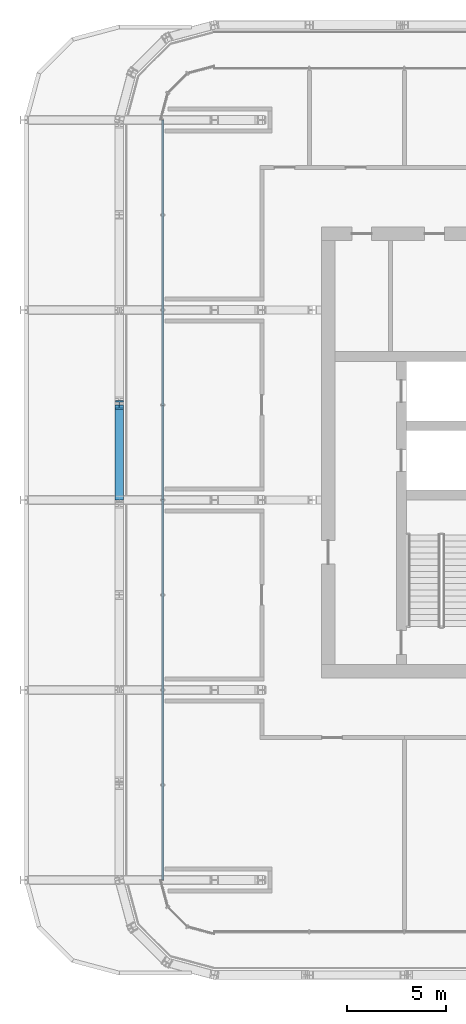
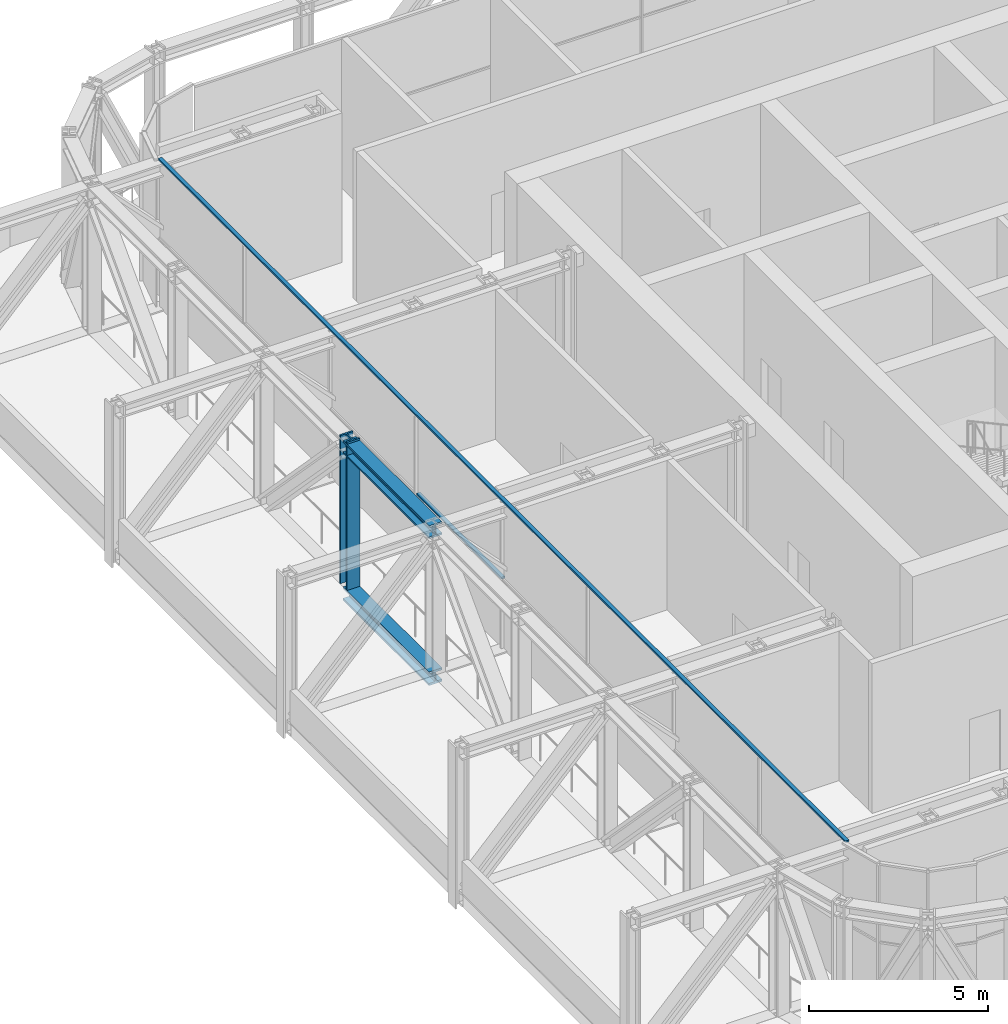
# One storey, part 4 of 30: 5 members, 1 element without a shape of its own.
"""IFC4 building model written with IfcOpenShell, lengths in metres."""

from ifc_helpers import new_model, si_unit, direction, frame, origin, origin_2d, place, context, subcontext, project, spatial, rectangle, i_section, extrude, material, layer, layer_set, material_profile, profile_set, type_object, element, aggregate, save


model = new_model("IFC4")

# Units and contexts
model_context = context("Model", 3, precision=1e-05, world=origin(), true_north=direction((0.0, 1.0)))
body_context = subcontext(model_context, "Body", "Model", "MODEL_VIEW")
ifc_project = project(units=[si_unit("LENGTHUNIT", "METRE"), si_unit("AREAUNIT", "SQUARE_METRE"), si_unit("VOLUMEUNIT", "CUBIC_METRE"), si_unit("PLANEANGLEUNIT", "RADIAN"), si_unit("MASSUNIT", "GRAM", prefix="KILO")], contexts=[model_context])

# Site, building, storey
site_placement = place(None, origin())
site = spatial("IfcSite", under=ifc_project, at=site_placement, CompositionType="ELEMENT")
building_placement = place(site_placement, origin())
building = spatial("IfcBuilding", under=site, at=building_placement, Name="Madar Terraces", CompositionType="ELEMENT")
storey_placement = place(building_placement, frame((0.0, 0.0, 173.5)))
storey = spatial("IfcBuildingStorey", under=building, at=storey_placement, Name="L45", CompositionType="ELEMENT", Elevation=173.5)

# Member
ifc_material_1 = material(Name="Steel ASTM A913 Grade 65", Category="steel")
ifc_material_profile_1 = material_profile(ifc_material_1, i_section(OverallWidth=0.421630859375, OverallDepth=0.46484375, WebThickness=0.044921875, FlangeThickness=0.072509765625, at=origin_2d()), Name="W14x398")
ifc_profile_set_1 = profile_set([ifc_material_profile_1], Name="Steel ASTM A913 Grade 65")
member_type_1 = type_object("IfcMemberType", Name="BC6 W14x398", PredefinedType="CHORD", material=ifc_profile_set_1)
member_1_placement = place(storey_placement, frame((4.800048828125, 28.800048828125, -0.1875), z_axis=(0.0, -1.0, 0.0), x_axis=(1.0, 0.0, 0.0)))
element("IfcMember", 1, at=member_1_placement, inside=storey, type_object=member_type_1, Name="Exoskeleton truss ring bottom chord BC6", PredefinedType="CHORD", context=body_context, shape_type="SweptSolid", body=[
    extrude(i_section(OverallWidth=0.421630859375, OverallDepth=0.46484375, WebThickness=0.044921875, FlangeThickness=0.072509765625, at=origin_2d()), origin(), (0.0, 0.0, 1.0), 4.800048828125),
])

# Curtain wall, members
ifc_material_2 = material(Name="Glass, ceramic frit dark grey, with black aluminium frame", Category="aluminium")
ifc_layer = layer(ifc_material_2, 0.199951171875)
ifc_layer_set = layer_set([ifc_layer], Name="Facade curtain wall, tall glazing")
curtain_wall_type = type_object("IfcCurtainWallType", Name="Facade curtain wall, tall glazing", PredefinedType="NOTDEFINED", material=ifc_layer_set)
curtain_wall_placement = place(storey_placement, origin())
curtain_wall = element("IfcCurtainWall", 2, at=curtain_wall_placement, inside=storey, type_object=curtain_wall_type, Name="Outer skin curtain wall west bay 1", PredefinedType="NOTDEFINED")
ifc_material_3 = material(Name="Aluminium, black anodised", Category="aluminium")
ifc_material_profile_2 = material_profile(ifc_material_3, rectangle(XDim=0.1201171875, YDim=0.06005859375, at=origin_2d()), Name="Facade transom 60x120")
ifc_profile_set_2 = profile_set([ifc_material_profile_2], Name="Aluminium, black anodised")
member_type_2 = type_object("IfcMemberType", Name="Facade transom 60x120", PredefinedType="USERDEFINED", material=ifc_profile_set_2)
member_2_placement = place(storey_placement, frame((7.0, 43.199951171875, 5.070068359375), z_axis=(0.0, -1.0, 0.0), x_axis=(1.0, 0.0, 0.0)))
member_2 = element("IfcMember", 3, at=member_2_placement, type_object=member_type_2, Name="Transom 1", ObjectType="TRANSOM", PredefinedType="USERDEFINED", context=body_context, shape_type="SweptSolid", body=[
    extrude(rectangle(XDim=0.1201171875, YDim=0.06005859375, at=origin_2d()), origin(), (0.0, 0.0, 1.0), 38.39990234375),
])
member_3_placement = place(storey_placement, frame((7.0, 28.77001953125, 2.39990234375), z_axis=(0.0, -1.0, 0.0), x_axis=(1.0, 0.0, 0.0)))
member_3 = element("IfcMember", 4, at=member_3_placement, type_object=member_type_2, Name="Transom 5", ObjectType="TRANSOM", PredefinedType="USERDEFINED", context=body_context, shape_type="SweptSolid", body=[
    extrude(rectangle(XDim=0.1201171875, YDim=0.06005859375, at=origin_2d()), origin(), (0.0, 0.0, 1.0), 4.739990234375),
])
aggregate(curtain_wall, [member_2, member_3])

# Members
ifc_material_4 = material(Name="Steel ASTM A913 Grade 65", Category="steel")
ifc_material_profile_3 = material_profile(ifc_material_4, i_section(OverallWidth=0.41650390625, OverallDepth=0.444580078125, WebThickness=0.0390625, FlangeThickness=0.062744140625, at=origin_2d()), Name="W14x342")
ifc_profile_set_3 = profile_set([ifc_material_profile_3], Name="Steel ASTM A913 Grade 65")
member_type_3 = type_object("IfcMemberType", Name="TC6 W14x342", PredefinedType="CHORD", material=ifc_profile_set_3)
member_4_placement = place(storey_placement, frame((4.800048828125, 28.800048828125, 4.807861328125), z_axis=(0.0, -1.0, 0.0), x_axis=(1.0, 0.0, 0.0)))
element("IfcMember", 5, at=member_4_placement, inside=storey, type_object=member_type_3, Name="Exoskeleton truss ring top chord TC6", PredefinedType="CHORD", context=body_context, shape_type="SweptSolid", body=[
    extrude(i_section(OverallWidth=0.41650390625, OverallDepth=0.444580078125, WebThickness=0.0390625, FlangeThickness=0.062744140625, at=origin_2d()), origin(), (0.0, 0.0, 1.0), 4.800048828125),
])
ifc_material_5 = material(Name="Steel ASTM A913 Grade 65", Category="steel")
ifc_material_profile_4 = material_profile(ifc_material_5, i_section(OverallWidth=0.411376953125, OverallDepth=0.434326171875, WebThickness=0.035888671875, FlangeThickness=0.057373046875, at=origin_2d()), Name="W14x311")
ifc_profile_set_4 = profile_set([ifc_material_profile_4], Name="Steel ASTM A913 Grade 65")
member_type_4 = type_object("IfcMemberType", Name="TV6 W14x311", PredefinedType="POST", material=ifc_profile_set_4)
member_5_placement = place(storey_placement, frame((4.800048828125, 28.800048828125, 0.044921875), z_axis=(0.0, 0.0, 1.0), x_axis=(1.0, 0.0, 0.0)))
element("IfcMember", 6, at=member_5_placement, inside=storey, type_object=member_type_4, Name="Exoskeleton truss ring post TV6", PredefinedType="POST", context=body_context, shape_type="SweptSolid", body=[
    extrude(i_section(OverallWidth=0.411376953125, OverallDepth=0.434326171875, WebThickness=0.035888671875, FlangeThickness=0.057373046875, at=origin_2d()), origin(), (0.0, 0.0, 1.0), 5.05517578125),
])

save(model, "model.ifc")
